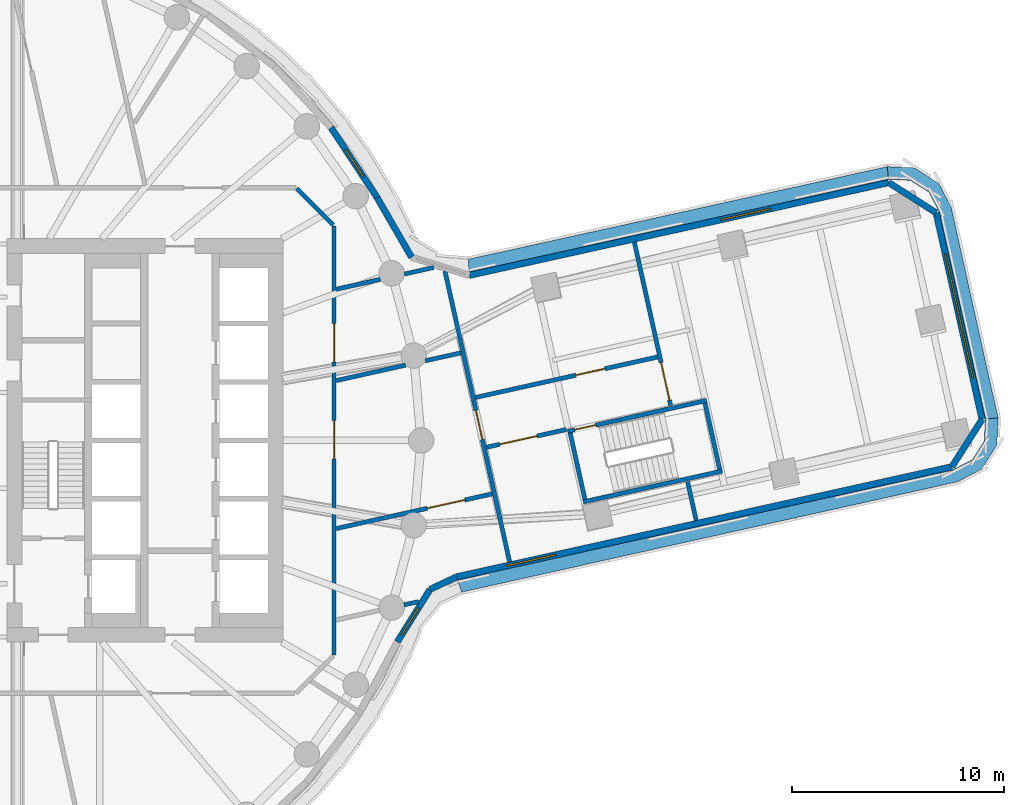
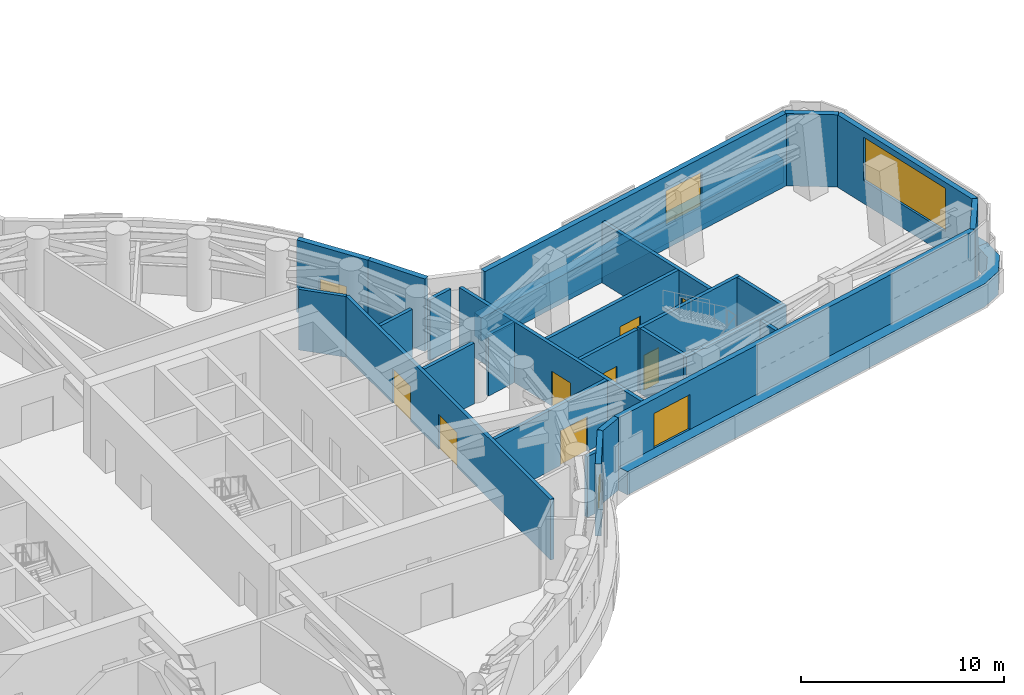
# One storey, part 11 of 22: 26 walls, 8 doors, 5 windows, 3 members, 13 openings.
"""IFC4 building model written with IfcOpenShell, lengths in metres."""

import ifcopenshell
import ifcopenshell.guid

model = None  # the IFC model being written
_history = None  # IfcOwnerHistory: only IFC2X3 demands one
_inside = {}  # id of a spatial element -> (the spatial element, [elements in it])
_under = {}  # id of a project, library or spatial element -> (it, [spatial elements below it])
_declared = {}  # id of a project -> (the project, [libraries it declares])
_typed = {}  # id of a type object -> (the type object, [elements of that type])
_made_of = {}  # id of a material, layer set ... -> (it, [elements and type objects made of it])


def new_model(schema):
    """Start an empty IFC model of exactly this schema.

    Asked for "IFC4X3", IfcOpenShell would pick the latest addendum, in which some entities
    have other attributes; the version numbers below select the first issue.
    IFC2X3 requires an IfcOwnerHistory on every rooted entity: one is made here for all.
    """
    global model, _history
    if schema == "IFC4X3":
        model = ifcopenshell.file(schema_version=(4, 3, 0, 0))
    else:
        model = ifcopenshell.file(schema=schema)
    _inside.clear()
    _under.clear()
    _declared.clear()
    _typed.clear()
    _made_of.clear()
    _history = None
    if model.schema == "IFC2X3":
        org = make("IfcOrganization", Name="unknown")
        user = make(
            "IfcPersonAndOrganization",
            ThePerson=make("IfcPerson", FamilyName="unknown"),
            TheOrganization=org,
        )
        app = make(
            "IfcApplication",
            ApplicationDeveloper=org,
            Version="unknown",
            ApplicationFullName="unknown",
            ApplicationIdentifier="unknown",
        )
        _history = make(
            "IfcOwnerHistory",
            OwningUser=user,
            OwningApplication=app,
            ChangeAction="ADDED",
            CreationDate=0,
        )
    return model


def make(cls, **values):
    """One entity of the class cls with the attributes given. An attribute that is None is left unset."""
    return model.create_entity(
        cls, **{name: value for name, value in values.items() if value is not None}
    )


def rooted(cls, **values):
    """An entity with a GlobalId (a new one), such as an element, a storey or a relation."""
    return make(cls, GlobalId=ifcopenshell.guid.new(), OwnerHistory=_history, **values)


def si_unit(unit_type, name, prefix=None):
    """IfcSIUnit, for example si_unit("LENGTHUNIT", "METRE", prefix="MILLI")."""
    return make("IfcSIUnit", UnitType=unit_type, Prefix=prefix, Name=name)


def assignment(units):
    """IfcUnitAssignment: the units of a project."""
    return None if units is None else make("IfcUnitAssignment", Units=units)


def point(xyz):
    """IfcCartesianPoint."""
    return None if xyz is None else make("IfcCartesianPoint", Coordinates=xyz)


def direction(xyz):
    """IfcDirection."""
    return None if xyz is None else make("IfcDirection", DirectionRatios=xyz)


def frame(location, z_axis=None, x_axis=None):
    """IfcAxis2Placement3D, a coordinate frame: its origin and axes. An axis left out is left unset."""
    return make(
        "IfcAxis2Placement3D",
        Location=point(location),
        Axis=direction(z_axis),
        RefDirection=direction(x_axis),
    )


def frame_2d(location, x_axis=None):
    """IfcAxis2Placement2D, a coordinate frame in the plane: its origin and x axis."""
    return make(
        "IfcAxis2Placement2D", Location=point(location), RefDirection=direction(x_axis)
    )


def origin():
    """The frame at (0, 0, 0) with its axes left unset."""
    return frame((0.0, 0.0, 0.0))


def place(relative_to, where):
    """IfcLocalPlacement: puts the frame where relative to a parent placement (None: the world)."""
    return make(
        "IfcLocalPlacement", PlacementRelTo=relative_to, RelativePlacement=where
    )


def context(
    kind, dimensions, precision=None, world=None, true_north=None, identifier=None
):
    """IfcGeometricRepresentationContext, for example the 3D "Model" context."""
    return make(
        "IfcGeometricRepresentationContext",
        ContextIdentifier=identifier,
        ContextType=kind,
        CoordinateSpaceDimension=dimensions,
        Precision=precision,
        WorldCoordinateSystem=world,
        TrueNorth=true_north,
    )


def subcontext(parent, identifier, kind, view, scale=None):
    """IfcGeometricRepresentationSubContext, for example "Body" below "Model"."""
    return make(
        "IfcGeometricRepresentationSubContext",
        ContextIdentifier=identifier,
        ContextType=kind,
        ParentContext=parent,
        TargetScale=scale,
        TargetView=view,
    )


def project(units=None, contexts=None):
    """IfcProject with its units and contexts."""
    return rooted(
        "IfcProject",
        Name="project",
        RepresentationContexts=contexts,
        UnitsInContext=assignment(units),
    )


def spatial(cls, under=None, at=None, **own):
    """A site, building, storey or space (cls), placed at a placement, below another one or the project."""
    s = rooted(cls, ObjectPlacement=at, **own)
    if under is not None:
        _under.setdefault(under.id(), (under, []))[1].append(s)
    return s


def polyline(points):
    """IfcPolyline through the points."""
    return make("IfcPolyline", Points=[point(p) for p in points])


def profile(cls, at=None, kind="AREA", **sizes):
    """A parametric profile (cls). Its sizes go by their IFC names, for example OverallWidth=200.0."""
    return make(cls, ProfileType=kind, Position=at, **sizes)


def rectangle(**sizes):
    """IfcRectangleProfileDef."""
    return profile("IfcRectangleProfileDef", **sizes)


def outline(outer, holes=None, kind="AREA"):
    """IfcArbitraryClosedProfileDef: a profile drawn as a closed curve; with holes, ...WithVoids."""
    if holes is None:
        return make("IfcArbitraryClosedProfileDef", ProfileType=kind, OuterCurve=outer)
    return make(
        "IfcArbitraryProfileDefWithVoids",
        ProfileType=kind,
        OuterCurve=outer,
        InnerCurves=holes,
    )


def extrude(swept, where, along, depth):
    """IfcExtrudedAreaSolid: the profile swept, set in the frame where, extruded along a direction by depth."""
    return make(
        "IfcExtrudedAreaSolid",
        SweptArea=swept,
        Position=where,
        ExtrudedDirection=direction(along),
        Depth=depth,
    )


def shape(context_of_items, identifier, shape_type, items):
    """IfcShapeRepresentation: the items that make up one representation, for example the "Body"."""
    return make(
        "IfcShapeRepresentation",
        ContextOfItems=context_of_items,
        RepresentationIdentifier=identifier,
        RepresentationType=shape_type,
        Items=items,
    )


def material(Name=None, Category=None):
    """IfcMaterial."""
    return make("IfcMaterial", Name=Name, Category=Category)


def layer(
    of_material, thickness, ventilated=None, Name=None, Category=None, Priority=None
):
    """IfcMaterialLayer: one layer of a wall or slab, of a material (None: an air gap)."""
    return make(
        "IfcMaterialLayer",
        Material=of_material,
        LayerThickness=thickness,
        IsVentilated=ventilated,
        Name=Name,
        Category=Category,
        Priority=Priority,
    )


def layer_set(layers, Name=None):
    """IfcMaterialLayerSet."""
    return make("IfcMaterialLayerSet", MaterialLayers=layers, LayerSetName=Name)


def made_of(thing, what):
    """Note that an element or type object is made of a material, layer set ...; save() writes the relation."""
    if what is not None:
        _made_of.setdefault(what.id(), (what, []))[1].append(thing)
    return thing


def type_object(cls, material=None, **own):
    """A type object (cls), such as IfcWallType, which elements share."""
    return made_of(rooted(cls, **own), material)


def element(
    cls,
    number,
    at=None,
    inside=None,
    cuts=None,
    type_object=None,
    material=None,
    context=None,
    identifier="Body",
    shape_type=None,
    held_by="IfcProductDefinitionShape",
    body=None,
    shapes=None,
    **own,
):
    """One element of the class cls, such as IfcWall. Its Tag is "e" and its number.

    at: its placement. inside: the storey or other place that contains it. cuts: it is an
    opening in that element (IfcRelVoidsElement). A single representation is given by context,
    identifier, shape_type and body (its items); several are given by shapes. held_by: the class
    of the entity that holds the representations. save() writes the other relations.
    """
    e = rooted(cls, Tag="e%d" % number, ObjectPlacement=at, **own)
    if body is not None:
        shapes = [shape(context, identifier, shape_type, body)]
    if shapes is not None:
        e.Representation = make(held_by, Representations=shapes)
    if inside is not None:
        _inside.setdefault(inside.id(), (inside, []))[1].append(e)
    if cuts is not None:
        rooted(
            "IfcRelVoidsElement", RelatingBuildingElement=cuts, RelatedOpeningElement=e
        )
    if type_object is not None:
        _typed.setdefault(type_object.id(), (type_object, []))[1].append(e)
    return made_of(e, material)


def fill(opening, filler):
    """IfcRelFillsElement: the door or window that sits in an opening."""
    return rooted(
        "IfcRelFillsElement",
        RelatingOpeningElement=opening,
        RelatedBuildingElement=filler,
    )


def aggregate(whole, parts):
    """IfcRelAggregates: a whole, such as a stair, and the parts it consists of."""
    return rooted("IfcRelAggregates", RelatingObject=whole, RelatedObjects=parts)


def save(model, path):
    """Write the relations noted so far, then the file.

    IfcRelAggregates (storeys below a building ...), IfcRelContainedInSpatialStructure (elements
    in a storey), IfcRelDefinesByType, IfcRelAssociatesMaterial and IfcRelDeclares: one each for
    every whole, place, type object, material and project.
    """
    for whole, parts in _under.values():
        aggregate(whole, parts)
    for where, things in _inside.values():
        rooted(
            "IfcRelContainedInSpatialStructure",
            RelatedElements=things,
            RelatingStructure=where,
        )
    for kind, things in _typed.values():
        rooted("IfcRelDefinesByType", RelatedObjects=things, RelatingType=kind)
    for what, things in _made_of.values():
        rooted("IfcRelAssociatesMaterial", RelatedObjects=things, RelatingMaterial=what)
    for by, libraries in _declared.values():
        rooted("IfcRelDeclares", RelatingContext=by, RelatedDefinitions=libraries)
    model.write(path)


model = new_model("IFC4")

# Units and contexts
model_context = context("Model", 3, precision=1e-05, world=origin(), true_north=direction((0.0, 1.0)))
body_context = subcontext(model_context, "Body", "Model", "MODEL_VIEW")
ifc_project = project(units=[si_unit("LENGTHUNIT", "METRE"), si_unit("AREAUNIT", "SQUARE_METRE"), si_unit("VOLUMEUNIT", "CUBIC_METRE"), si_unit("PLANEANGLEUNIT", "RADIAN"), si_unit("MASSUNIT", "GRAM", prefix="KILO")], contexts=[model_context])

# Member
ifc_material_1 = material(Name="Aluminium and insulated spandrel panel", Category="aluminium")
member_type = type_object("IfcMemberType", Name="Floor-edge blade transom", PredefinedType="USERDEFINED", material=ifc_material_1)
site_placement = place(None, origin())
building_placement = place(site_placement, origin())
storey_placement = place(building_placement, frame((0.0, 0.0, 79.0)))
member_1_placement = place(storey_placement, origin())
member_1 = element("IfcMember", 1, at=member_1_placement, type_object=member_type, Name="CWT-L18-07", ObjectType="TRANSOM", PredefinedType="USERDEFINED", context=body_context, shape_type="SweptSolid", body=[
    extrude(outline(polyline([(24.71337890625, -6.567626953125), (48.038818359375, -1.38037109375), (48.956787109375, -0.90185546875), (49.512451171875, -0.0283203125), (49.556884765625, 1.006103515625), (50.15966796875, 1.05908203125), (50.10498046875, -0.214599609375), (49.376708984375, -1.359375), (48.24609375, -1.948974609375), (24.9091796875, -7.138671875), (24.71337890625, -6.567626953125)])), origin(), (0.0, 0.0, 1.0), 1.39990234375),
])

member_2_placement = place(storey_placement, origin())
member_2 = element("IfcMember", 2, at=member_2_placement, type_object=member_type, Name="CWT-L18-08", ObjectType="TRANSOM", PredefinedType="USERDEFINED", context=body_context, shape_type="SweptSolid", body=[
    extrude(outline(polyline([(49.556884765625, 1.006103515625), (47.385986328125, 10.767578125), (46.907470703125, 11.685546875), (46.033935546875, 12.2412109375), (44.99951171875, 12.28564453125), (44.94677734375, 12.888671875), (46.22021484375, 12.833740234375), (47.365234375, 12.10546875), (47.95458984375, 10.974853515625), (50.15966796875, 1.05908203125), (49.556884765625, 1.006103515625)])), origin(), (0.0, 0.0, 1.0), 1.39990234375),
])

member_3_placement = place(storey_placement, origin())
member_3 = element("IfcMember", 3, at=member_3_placement, type_object=member_type, Name="CWT-L18-09", ObjectType="TRANSOM", PredefinedType="USERDEFINED", context=body_context, shape_type="SweptSolid", body=[
    extrude(outline(polyline([(44.99951171875, 12.28564453125), (25.2578125, 7.92236328125), (25.21630859375, 8.527587890625), (44.94677734375, 12.888671875), (44.99951171875, 12.28564453125)])), origin(), (0.0, 0.0, 1.0), 1.39990234375),
])

# Site, building, storey
site = spatial("IfcSite", under=ifc_project, at=site_placement, CompositionType="ELEMENT")
building = spatial("IfcBuilding", under=site, at=building_placement, Name="Tamarind Cross Interchange Tower", CompositionType="ELEMENT")
storey = spatial("IfcBuildingStorey", under=building, at=storey_placement, Name="L18", CompositionType="ELEMENT", Elevation=79.0)

# Wall, opening, door
ifc_material_2 = material(Name="Gypsum board partition on steel studs", Category="steel")
ifc_layer_1 = layer(ifc_material_2, 0.199951171875)
ifc_layer_set_1 = layer_set([ifc_layer_1], Name="Gypsum board partition on steel studs")
wall_type_1 = type_object("IfcWallType", Name="Partition 200 mm EI 180", PredefinedType="PARTITIONING", material=ifc_layer_set_1)
wall_1_placement = place(storey_placement, frame((24.1201171875, 7.973388671875, 0.0), z_axis=(0.0, 0.0, 1.0), x_axis=(0.216928614258, -0.976187469862, 0.0)))
wall_1 = element("IfcWall", 4, at=wall_1_placement, inside=storey, type_object=wall_type_1, Name="Partition L18-027", PredefinedType="PARTITIONING", context=body_context, shape_type="SweptSolid", body=[
    extrude(rectangle(XDim=14.02197265625, YDim=0.199951171875, at=frame_2d((7.010986328125, 0.0))), origin(), (0.0, 0.0, 1.0), 3.659912109375),
])
opening_1_placement = place(wall_1_placement, frame((6.723388671875, 0.0, 0.0)))
opening_1 = element("IfcOpeningElement", 5, at=opening_1_placement, cuts=wall_1, Name="Opening D16", PredefinedType="OPENING", context=body_context, shape_type="SweptSolid", body=[
    extrude(rectangle(XDim=1.39990234375, YDim=2.10009765625, at=frame_2d((0.699951171875, 1.050048828125))), frame((0.0, 0.10986328125, 0.0), z_axis=(0.0, -1.0, 0.0), x_axis=(1.0, 0.0, 0.0)), (0.0, 0.0, 1.0), 0.219970703125),
])
ifc_material_3 = material(Name="Fire-resisting door set")
door_type_1 = type_object("IfcDoorType", Name="Interior door 1400 x 2100 FD120S", OperationType="DOUBLE_DOOR_SINGLE_SWING", PredefinedType="DOOR", material=ifc_material_3)
door_1_placement = place(opening_1_placement, frame((1.39990234375, 0.0, 0.0), z_axis=(0.0, 0.0, 1.0), x_axis=(-1.0, 0.0, 0.0)))
door_1 = element("IfcDoor", 6, at=door_1_placement, inside=storey, type_object=door_type_1, Name="Door D16", OperationType="DOUBLE_DOOR_SINGLE_SWING", OverallHeight=2.10009765625, OverallWidth=1.39990234375, PredefinedType="DOOR", context=body_context, shape_type="SweptSolid", body=[
    extrude(rectangle(XDim=1.39990234375, YDim=2.10009765625, at=frame_2d((0.699951171875, 1.050048828125))), frame((0.0, 0.02490234375, 0.0), z_axis=(0.0, -1.0, 0.0), x_axis=(1.0, 0.0, 0.0)), (0.0, 0.0, 1.0), 0.050048828125),
])
fill(opening_1, door_1)

wall_2_placement = place(storey_placement, frame((33.037109375, 9.33349609375, 0.0), z_axis=(0.0, 0.0, 1.0), x_axis=(0.217028940436, -0.976165169945, 0.0)))
wall_2 = element("IfcWall", 7, at=wall_2_placement, inside=storey, type_object=wall_type_1, Name="Partition L18-028", PredefinedType="PARTITIONING", context=body_context, shape_type="SweptSolid", body=[
    extrude(rectangle(XDim=7.87451171875, YDim=0.199951171875, at=frame_2d((3.937255859375, 0.0))), origin(), (0.0, 0.0, 1.0), 3.659912109375),
])
opening_2_placement = place(wall_2_placement, frame((5.81494140625, 0.0, 0.0)))
opening_2 = element("IfcOpeningElement", 8, at=opening_2_placement, cuts=wall_2, Name="Opening D17", PredefinedType="OPENING", context=body_context, shape_type="SweptSolid", body=[
    extrude(rectangle(XDim=1.800048828125, YDim=2.10009765625, at=frame_2d((0.89990234375, 1.050048828125))), frame((0.0, 0.10986328125, 0.0), z_axis=(0.0, -1.0, 0.0), x_axis=(1.0, 0.0, 0.0)), (0.0, 0.0, 1.0), 0.219970703125),
])
door_type_2 = type_object("IfcDoorType", Name="Interior door 1800 x 2100 FD120S", OperationType="DOUBLE_DOOR_SINGLE_SWING", PredefinedType="DOOR", material=ifc_material_3)
door_2_placement = place(opening_2_placement, origin())
door_2 = element("IfcDoor", 9, at=door_2_placement, inside=storey, type_object=door_type_2, Name="Door D17", OperationType="DOUBLE_DOOR_SINGLE_SWING", OverallHeight=2.10009765625, OverallWidth=1.800048828125, PredefinedType="DOOR", context=body_context, shape_type="SweptSolid", body=[
    extrude(rectangle(XDim=1.800048828125, YDim=2.10009765625, at=frame_2d((0.89990234375, 1.050048828125))), frame((0.0, 0.02490234375, 0.0), z_axis=(0.0, -1.0, 0.0), x_axis=(1.0, 0.0, 0.0)), (0.0, 0.0, 1.0), 0.050048828125),
])
fill(opening_2, door_2)

# Walls
wall_3_placement = place(storey_placement, frame((35.544921875, -1.946044921875, 0.0), z_axis=(0.0, 0.0, 1.0), x_axis=(0.216958268932, -0.976180879521, 0.0)))
element("IfcWall", 10, at=wall_3_placement, inside=storey, type_object=wall_type_1, Name="Partition L18-029", PredefinedType="PARTITIONING", context=body_context, shape_type="SweptSolid", body=[
    extrude(rectangle(XDim=1.85888671875, YDim=0.199951171875, at=frame_2d((0.929443359375, 0.0))), origin(), (0.0, 0.0, 1.0), 3.659912109375),
])
wall_4_placement = place(storey_placement, frame((17.142333984375, 11.857666015625, 0.0), z_axis=(0.0, 0.0, 1.0), x_axis=(0.707106781187, -0.707106781187, 0.0)))
element("IfcWall", 11, at=wall_4_placement, inside=storey, type_object=wall_type_1, Name="Partition L18-031", PredefinedType="PARTITIONING", context=body_context, shape_type="SweptSolid", body=[
    extrude(rectangle(XDim=2.42578125, YDim=0.199951171875, at=frame_2d((1.212890625, 0.0))), origin(), (0.0, 0.0, 1.0), 3.659912109375),
])

# Wall, opening, door
wall_5_placement = place(storey_placement, frame((19.00244140625, -4.149169921875, 0.0), z_axis=(0.0, 0.0, 1.0), x_axis=(0.976165670114, 0.217026690732, 0.0)))
wall_5 = element("IfcWall", 12, at=wall_5_placement, inside=storey, type_object=wall_type_1, Name="Partition L18-060", PredefinedType="PARTITIONING", context=body_context, shape_type="SweptSolid", body=[
    extrude(rectangle(XDim=7.521240234375, YDim=0.199951171875, at=frame_2d((3.7607421875, 0.0))), origin(), (0.0, 0.0, 1.0), 3.659912109375),
])
opening_3_placement = place(wall_5_placement, frame((4.39501953125, 0.0, 0.0)))
opening_3 = element("IfcOpeningElement", 13, at=opening_3_placement, cuts=wall_5, Name="Opening D33", PredefinedType="OPENING", context=body_context, shape_type="SweptSolid", body=[
    extrude(rectangle(XDim=1.800048828125, YDim=2.10009765625, at=frame_2d((0.89990234375, 1.050048828125))), frame((0.0, 0.10986328125, 0.0), z_axis=(0.0, -1.0, 0.0), x_axis=(1.0, 0.0, 0.0)), (0.0, 0.0, 1.0), 0.219970703125),
])
door_3_placement = place(opening_3_placement, frame((1.800048828125, 0.0, 0.0), z_axis=(0.0, 0.0, 1.0), x_axis=(-1.0, 0.0, 0.0)))
door_3 = element("IfcDoor", 14, at=door_3_placement, inside=storey, type_object=door_type_2, Name="Door D33", OperationType="DOUBLE_DOOR_SINGLE_SWING", OverallHeight=2.10009765625, OverallWidth=1.800048828125, PredefinedType="DOOR", context=body_context, shape_type="SweptSolid", body=[
    extrude(rectangle(XDim=1.800048828125, YDim=2.10009765625, at=frame_2d((0.89990234375, 1.050048828125))), frame((0.0, 0.02490234375, 0.0), z_axis=(0.0, -1.0, 0.0), x_axis=(1.0, 0.0, 0.0)), (0.0, 0.0, 1.0), 0.050048828125),
])
fill(opening_3, door_3)

# Walls
wall_6_placement = place(storey_placement, frame((19.00244140625, 2.81689453125, 0.0), z_axis=(0.0, 0.0, 1.0), x_axis=(0.9761664515, 0.217023176105, 0.0)))
element("IfcWall", 15, at=wall_6_placement, inside=storey, type_object=wall_type_1, Name="Partition L18-061", PredefinedType="PARTITIONING", context=body_context, shape_type="SweptSolid", body=[
    extrude(rectangle(XDim=3.345703125, YDim=0.199951171875, at=frame_2d((1.6728515625, 0.0))), origin(), (0.0, 0.0, 1.0), 3.659912109375),
])
wall_7_placement = place(storey_placement, frame((23.195068359375, 3.7490234375, 0.0), z_axis=(0.0, 0.0, 1.0), x_axis=(0.976143603736, 0.217125919423, 0.0)))
element("IfcWall", 16, at=wall_7_placement, inside=storey, type_object=wall_type_1, Name="Partition L18-062", PredefinedType="PARTITIONING", context=body_context, shape_type="SweptSolid", body=[
    extrude(rectangle(XDim=1.71923828125, YDim=0.199951171875, at=frame_2d((0.859619140625, 0.0))), origin(), (0.0, 0.0, 1.0), 3.659912109375),
])
wall_8_placement = place(storey_placement, frame((19.00244140625, 7.118896484375, 0.0), z_axis=(0.0, 0.0, 1.0), x_axis=(0.97615465389, 0.217076234739, 0.0)))
element("IfcWall", 17, at=wall_8_placement, inside=storey, type_object=wall_type_1, Name="Partition L18-063", PredefinedType="PARTITIONING", context=body_context, shape_type="SweptSolid", body=[
    extrude(rectangle(XDim=2.1279296875, YDim=0.199951171875, at=frame_2d((1.06396484375, 0.0))), origin(), (0.0, 0.0, 1.0), 3.659912109375),
])
wall_9_placement = place(storey_placement, frame((22.214111328125, 7.833251953125, 0.0), z_axis=(0.0, 0.0, 1.0), x_axis=(0.976142259417, 0.217131963057, 0.0)))
element("IfcWall", 18, at=wall_9_placement, inside=storey, type_object=wall_type_1, Name="Partition L18-064", PredefinedType="PARTITIONING", context=body_context, shape_type="SweptSolid", body=[
    extrude(rectangle(XDim=1.4111328125, YDim=0.199951171875, at=frame_2d((0.70556640625, 0.0))), origin(), (0.0, 0.0, 1.0), 3.659912109375),
])
wall_10_placement = place(storey_placement, frame((22.18994140625, -7.7431640625, 0.0), z_axis=(0.0, 0.0, 1.0), x_axis=(0.976097832704, 0.21733159225, 0.0)))
element("IfcWall", 19, at=wall_10_placement, inside=storey, type_object=wall_type_1, Name="Partition L18-066", PredefinedType="PARTITIONING", context=body_context, shape_type="SweptSolid", body=[
    extrude(rectangle(XDim=0.708740234375, YDim=0.199951171875, at=frame_2d((0.3544921875, 0.0))), origin(), (0.0, 0.0, 1.0), 3.659912109375),
])

# Wall, opening, door
wall_11_placement = place(storey_placement, frame((25.546630859375, 2.017578125, 0.0), z_axis=(0.0, 0.0, 1.0), x_axis=(0.976143956172, 0.217124334953, 0.0)))
wall_11 = element("IfcWall", 20, at=wall_11_placement, inside=storey, type_object=wall_type_1, Name="Partition L18-067", PredefinedType="PARTITIONING", context=body_context, shape_type="SweptSolid", body=[
    extrude(rectangle(XDim=8.7998046875, YDim=0.199951171875, at=frame_2d((4.39990234375, 0.0))), origin(), (0.0, 0.0, 1.0), 3.659912109375),
])
opening_4_placement = place(wall_11_placement, frame((4.85009765625, 0.0, 0.0)))
opening_4 = element("IfcOpeningElement", 21, at=opening_4_placement, cuts=wall_11, Name="Opening D34", PredefinedType="OPENING", context=body_context, shape_type="SweptSolid", body=[
    extrude(rectangle(XDim=1.39990234375, YDim=2.10009765625, at=frame_2d((0.699951171875, 1.050048828125))), frame((0.0, 0.10986328125, 0.0), z_axis=(0.0, -1.0, 0.0), x_axis=(1.0, 0.0, 0.0)), (0.0, 0.0, 1.0), 0.219970703125),
])
door_4_placement = place(opening_4_placement, origin())
door_4 = element("IfcDoor", 22, at=door_4_placement, inside=storey, type_object=door_type_1, Name="Door D34", OperationType="DOUBLE_DOOR_SINGLE_SWING", OverallHeight=2.10009765625, OverallWidth=1.39990234375, PredefinedType="DOOR", context=body_context, shape_type="SweptSolid", body=[
    extrude(rectangle(XDim=1.39990234375, YDim=2.10009765625, at=frame_2d((0.699951171875, 1.050048828125))), frame((0.0, 0.02490234375, 0.0), z_axis=(0.0, -1.0, 0.0), x_axis=(1.0, 0.0, 0.0)), (0.0, 0.0, 1.0), 0.050048828125),
])
fill(opening_4, door_4)

wall_12_placement = place(storey_placement, frame((26.067626953125, -0.32421875, 0.0), z_axis=(0.0, 0.0, 1.0), x_axis=(0.976172172107, 0.216997443313, 0.0)))
wall_12 = element("IfcWall", 23, at=wall_12_placement, inside=storey, type_object=wall_type_1, Name="Partition L18-068", PredefinedType="PARTITIONING", context=body_context, shape_type="SweptSolid", body=[
    extrude(rectangle(XDim=3.859130859375, YDim=0.199951171875, at=frame_2d((1.9296875, 0.0))), origin(), (0.0, 0.0, 1.0), 3.659912109375),
])
opening_5_placement = place(wall_12_placement, frame((0.64990234375, 0.0, 0.0)))
opening_5 = element("IfcOpeningElement", 24, at=opening_5_placement, cuts=wall_12, Name="Opening D35", PredefinedType="OPENING", context=body_context, shape_type="SweptSolid", body=[
    extrude(rectangle(XDim=1.800048828125, YDim=2.10009765625, at=frame_2d((0.89990234375, 1.050048828125))), frame((0.0, 0.10986328125, 0.0), z_axis=(0.0, -1.0, 0.0), x_axis=(1.0, 0.0, 0.0)), (0.0, 0.0, 1.0), 0.219970703125),
])
door_5_placement = place(opening_5_placement, frame((1.800048828125, 0.0, 0.0), z_axis=(0.0, 0.0, 1.0), x_axis=(-1.0, 0.0, 0.0)))
door_5 = element("IfcDoor", 25, at=door_5_placement, inside=storey, type_object=door_type_2, Name="Door D35", OperationType="DOUBLE_DOOR_SINGLE_SWING", OverallHeight=2.10009765625, OverallWidth=1.800048828125, PredefinedType="DOOR", context=body_context, shape_type="SweptSolid", body=[
    extrude(rectangle(XDim=1.800048828125, YDim=2.10009765625, at=frame_2d((0.89990234375, 1.050048828125))), frame((0.0, 0.02490234375, 0.0), z_axis=(0.0, -1.0, 0.0), x_axis=(1.0, 0.0, 0.0)), (0.0, 0.0, 1.0), 0.050048828125),
])
fill(opening_5, door_5)

# Wall, openings, doors
wall_13_placement = place(storey_placement, frame((18.89990234375, -10.10009765625, 0.0), z_axis=(0.0, 0.0, 1.0), x_axis=(0.0, 1.0, 0.0)))
wall_13 = element("IfcWall", 26, at=wall_13_placement, inside=storey, type_object=wall_type_1, Name="Partition L18-074", PredefinedType="PARTITIONING", context=body_context, shape_type="SweptSolid", body=[
    extrude(rectangle(XDim=20.2001953125, YDim=0.199951171875, at=frame_2d((10.10009765625, 0.0))), origin(), (0.0, 0.0, 1.0), 3.659912109375),
])
opening_6_placement = place(wall_13_placement, frame((9.22802734375, 0.0, 0.0)))
opening_6 = element("IfcOpeningElement", 27, at=opening_6_placement, cuts=wall_13, Name="Opening D38", PredefinedType="OPENING", context=body_context, shape_type="SweptSolid", body=[
    extrude(rectangle(XDim=1.800048828125, YDim=2.10009765625, at=frame_2d((0.89990234375, 1.050048828125))), frame((0.0, 0.10986328125, 0.0), z_axis=(0.0, -1.0, 0.0), x_axis=(1.0, 0.0, 0.0)), (0.0, 0.0, 1.0), 0.219970703125),
])
opening_7_placement = place(wall_13_placement, frame((13.7939453125, 0.0, 0.0)))
opening_7 = element("IfcOpeningElement", 28, at=opening_7_placement, cuts=wall_13, Name="Opening D39", PredefinedType="OPENING", context=body_context, shape_type="SweptSolid", body=[
    extrude(rectangle(XDim=1.800048828125, YDim=2.10009765625, at=frame_2d((0.89990234375, 1.050048828125))), frame((0.0, 0.10986328125, 0.0), z_axis=(0.0, -1.0, 0.0), x_axis=(1.0, 0.0, 0.0)), (0.0, 0.0, 1.0), 0.219970703125),
])
door_6_placement = place(opening_6_placement, origin())
door_6 = element("IfcDoor", 29, at=door_6_placement, inside=storey, type_object=door_type_2, Name="Door D38", OperationType="DOUBLE_DOOR_SINGLE_SWING", OverallHeight=2.10009765625, OverallWidth=1.800048828125, PredefinedType="DOOR", context=body_context, shape_type="SweptSolid", body=[
    extrude(rectangle(XDim=1.800048828125, YDim=2.10009765625, at=frame_2d((0.89990234375, 1.050048828125))), frame((0.0, 0.02490234375, 0.0), z_axis=(0.0, -1.0, 0.0), x_axis=(1.0, 0.0, 0.0)), (0.0, 0.0, 1.0), 0.050048828125),
])
fill(opening_6, door_6)
door_7_placement = place(opening_7_placement, frame((1.800048828125, 0.0, 0.0), z_axis=(0.0, 0.0, 1.0), x_axis=(-1.0, 0.0, 0.0)))
door_7 = element("IfcDoor", 30, at=door_7_placement, inside=storey, type_object=door_type_2, Name="Door D39", OperationType="DOUBLE_DOOR_SINGLE_SWING", OverallHeight=2.10009765625, OverallWidth=1.800048828125, PredefinedType="DOOR", context=body_context, shape_type="SweptSolid", body=[
    extrude(rectangle(XDim=1.800048828125, YDim=2.10009765625, at=frame_2d((0.89990234375, 1.050048828125))), frame((0.0, 0.02490234375, 0.0), z_axis=(0.0, -1.0, 0.0), x_axis=(1.0, 0.0, 0.0)), (0.0, 0.0, 1.0), 0.050048828125),
])
fill(opening_7, door_7)

# Wall, opening, window
ifc_material_4 = material(Name="Precast concrete C40", Category="concrete")
ifc_layer_2 = layer(ifc_material_4, 0.300048828125)
ifc_layer_set_2 = layer_set([ifc_layer_2], Name="Precast concrete C40")
wall_type_2 = type_object("IfcWallType", Name="Plant louvre wall", PredefinedType="SOLIDWALL", material=ifc_layer_set_2)
wall_14_placement = place(storey_placement, frame((21.879150390625, -9.48291015625, 0.0), z_axis=(0.0, 0.0, 1.0), x_axis=(0.528957701174, 0.848648189987, 0.0)))
wall_14 = element("IfcWall", 31, at=wall_14_placement, inside=storey, type_object=wall_type_2, Name="EXW-L18-06-06", PredefinedType="SOLIDWALL", context=body_context, shape_type="SweptSolid", body=[
    extrude(rectangle(XDim=2.90966796875, YDim=0.300048828125, at=frame_2d((1.454833984375, 0.0))), origin(), (0.0, 0.0, 1.0), 4.360107421875),
])
opening_8_placement = place(wall_14_placement, frame((0.389892578125, 0.0, 1.39990234375)))
opening_8 = element("IfcOpeningElement", 32, at=opening_8_placement, cuts=wall_14, Name="Opening W5", PredefinedType="OPENING", context=body_context, shape_type="SweptSolid", body=[
    extrude(rectangle(XDim=1.5, YDim=1.0, at=frame_2d((0.75, 0.5))), frame((0.0, 0.159912109375, 0.0), z_axis=(0.0, -1.0, 0.0), x_axis=(1.0, 0.0, 0.0)), (0.0, 0.0, 1.0), 0.320068359375),
])
ifc_material_5 = material(Name="Aluminium and fire-resisting glass", Category="aluminium")
window_type_1 = type_object("IfcWindowType", Name="Refuge opening window", PartitioningType="DOUBLE_PANEL_VERTICAL", PredefinedType="WINDOW", material=ifc_material_5)
window_1_placement = place(opening_8_placement, origin())
window_1 = element("IfcWindow", 33, at=window_1_placement, inside=storey, type_object=window_type_1, Name="RSW-L18-06-01", OverallHeight=1.0, OverallWidth=1.5, PartitioningType="SINGLE_PANEL", PredefinedType="WINDOW", context=body_context, shape_type="SweptSolid", body=[
    extrude(rectangle(XDim=1.5, YDim=1.0, at=frame_2d((0.75, 0.5))), frame((0.0, 0.030029296875, 0.0), z_axis=(0.0, -1.0, 0.0), x_axis=(1.0, 0.0, 0.0)), (0.0, 0.0, 1.0), 0.06005859375),
])
fill(opening_8, window_1)

# Wall
wall_15_placement = place(storey_placement, frame((23.418212890625, -7.013671875, 0.0), z_axis=(0.0, 0.0, 1.0), x_axis=(0.904159344398, 0.427195365071, 0.0)))
element("IfcWall", 34, at=wall_15_placement, inside=storey, type_object=wall_type_2, Name="EXW-L18-06-07", PredefinedType="SOLIDWALL", context=body_context, shape_type="SweptSolid", body=[
    extrude(rectangle(XDim=1.37841796875, YDim=0.300048828125, at=frame_2d((0.689208984375, 0.0))), origin(), (0.0, 0.0, 1.0), 4.360107421875),
])

# Wall, opening, window
wall_16_placement = place(storey_placement, frame((24.66455078125, -6.4248046875, 0.0), z_axis=(0.0, 0.0, 1.0), x_axis=(0.976153387473, 0.217081929523, 0.0)))
wall_16 = element("IfcWall", 35, at=wall_16_placement, inside=storey, type_object=wall_type_2, Name="EXW-L18-07-00", PredefinedType="SOLIDWALL", context=body_context, shape_type="SweptSolid", body=[
    extrude(rectangle(XDim=23.89208984375, YDim=0.300048828125, at=frame_2d((11.946044921875, 0.0))), origin(), (0.0, 0.0, 1.0), 4.360107421875),
])
opening_9_placement = place(wall_16_placement, frame((2.39990234375, 0.0, 1.39990234375)))
opening_9 = element("IfcOpeningElement", 36, at=opening_9_placement, cuts=wall_16, Name="Opening W3", PredefinedType="OPENING", context=body_context, shape_type="SweptSolid", body=[
    extrude(rectangle(XDim=2.39990234375, YDim=2.10009765625, at=frame_2d((1.199951171875, 1.050048828125))), frame((0.0, 0.159912109375, 0.0), z_axis=(0.0, -1.0, 0.0), x_axis=(1.0, 0.0, 0.0)), (0.0, 0.0, 1.0), 0.320068359375),
])
window_type_2 = type_object("IfcWindowType", Name="Refuge rescue window", PartitioningType="DOUBLE_PANEL_VERTICAL", PredefinedType="WINDOW", material=ifc_material_5)
window_2_placement = place(opening_9_placement, origin())
window_2 = element("IfcWindow", 37, at=window_2_placement, inside=storey, type_object=window_type_2, Name="RSW-L18-07-02", OverallHeight=2.10009765625, OverallWidth=2.39990234375, PartitioningType="SINGLE_PANEL", PredefinedType="WINDOW", context=body_context, shape_type="SweptSolid", body=[
    extrude(rectangle(XDim=2.39990234375, YDim=2.10009765625, at=frame_2d((1.199951171875, 1.050048828125))), frame((0.0, 0.030029296875, 0.0), z_axis=(0.0, -1.0, 0.0), x_axis=(1.0, 0.0, 0.0)), (0.0, 0.0, 1.0), 0.06005859375),
])
fill(opening_9, window_2)

aggregate(wall_16, [member_1])

# Wall
wall_17_placement = place(storey_placement, frame((47.98681640625, -1.23828125, 0.0), z_axis=(0.0, 0.0, 1.0), x_axis=(0.536803799102, 0.843707106329, 0.0)))
element("IfcWall", 38, at=wall_17_placement, inside=storey, type_object=wall_type_2, Name="EXW-L18-07-01", PredefinedType="SOLIDWALL", context=body_context, shape_type="SweptSolid", body=[
    extrude(rectangle(XDim=2.644287109375, YDim=0.300048828125, at=frame_2d((1.322265625, 0.0))), origin(), (0.0, 0.0, 1.0), 4.360107421875),
])

# Wall, opening, window
wall_18_placement = place(storey_placement, frame((49.40625, 0.99267578125, 0.0), z_axis=(0.0, 0.0, 1.0), x_axis=(-0.217088763424, 0.97615186769, 0.0)))
wall_18 = element("IfcWall", 39, at=wall_18_placement, inside=storey, type_object=wall_type_2, Name="EXW-L18-08-00", PredefinedType="SOLIDWALL", context=body_context, shape_type="SweptSolid", body=[
    extrude(rectangle(XDim=9.960693359375, YDim=0.300048828125, at=frame_2d((4.98046875, 0.0))), origin(), (0.0, 0.0, 1.0), 4.360107421875),
])
opening_10_placement = place(wall_18_placement, frame((1.980224609375, 0.0, 1.39990234375)))
opening_10 = element("IfcOpeningElement", 40, at=opening_10_placement, cuts=wall_18, Name="Opening W2", PredefinedType="OPENING", context=body_context, shape_type="SweptSolid", body=[
    extrude(rectangle(XDim=6.0, YDim=2.60009765625, at=frame_2d((3.0, 1.300048828125))), frame((0.0, 0.159912109375, 0.0), z_axis=(0.0, -1.0, 0.0), x_axis=(1.0, 0.0, 0.0)), (0.0, 0.0, 1.0), 0.320068359375),
])
ifc_material_6 = material(Name="Aluminium louvre", Category="aluminium")
window_type_3 = type_object("IfcWindowType", Name="Plant louvre bank", PartitioningType="SINGLE_PANEL", PredefinedType="WINDOW", material=ifc_material_6)
window_3_placement = place(opening_10_placement, origin())
window_3 = element("IfcWindow", 41, at=window_3_placement, inside=storey, type_object=window_type_3, Name="WIN-L18-08-00", OverallHeight=2.60009765625, OverallWidth=6.0, PartitioningType="SINGLE_PANEL", PredefinedType="WINDOW", context=body_context, shape_type="SweptSolid", body=[
    extrude(rectangle(XDim=6.0, YDim=2.60009765625, at=frame_2d((3.0, 1.300048828125))), frame((0.0, 0.030029296875, 0.0), z_axis=(0.0, -1.0, 0.0), x_axis=(1.0, 0.0, 0.0)), (0.0, 0.0, 1.0), 0.06005859375),
])
fill(opening_10, window_3)

aggregate(wall_18, [member_2])

# Wall
wall_19_placement = place(storey_placement, frame((47.243896484375, 10.7158203125, 0.0), z_axis=(0.0, 0.0, 1.0), x_axis=(-0.843775519569, 0.536696257277, 0.0)))
element("IfcWall", 42, at=wall_19_placement, inside=storey, type_object=wall_type_2, Name="EXW-L18-08-01", PredefinedType="SOLIDWALL", context=body_context, shape_type="SweptSolid", body=[
    extrude(rectangle(XDim=2.644287109375, YDim=0.300048828125, at=frame_2d((1.322265625, 0.0))), origin(), (0.0, 0.0, 1.0), 4.360107421875),
])

# Wall, opening, window
wall_20_placement = place(storey_placement, frame((45.0126953125, 12.135009765625, 0.0), z_axis=(0.0, 0.0, 1.0), x_axis=(-0.976433864348, -0.215816840295, 0.0)))
wall_20 = element("IfcWall", 43, at=wall_20_placement, inside=storey, type_object=wall_type_2, Name="EXW-L18-09-00", PredefinedType="SOLIDWALL", context=body_context, shape_type="SweptSolid", body=[
    extrude(rectangle(XDim=20.220947265625, YDim=0.300048828125, at=frame_2d((10.1103515625, 0.0))), origin(), (0.0, 0.0, 1.0), 4.360107421875),
])
opening_11_placement = place(wall_20_placement, frame((5.699951171875, 0.0, 1.39990234375)))
opening_11 = element("IfcOpeningElement", 44, at=opening_11_placement, cuts=wall_20, Name="Opening W3", PredefinedType="OPENING", context=body_context, shape_type="SweptSolid", body=[
    extrude(rectangle(XDim=2.39990234375, YDim=2.10009765625, at=frame_2d((1.199951171875, 1.050048828125))), frame((0.0, 0.159912109375, 0.0), z_axis=(0.0, -1.0, 0.0), x_axis=(1.0, 0.0, 0.0)), (0.0, 0.0, 1.0), 0.320068359375),
])
window_4_placement = place(opening_11_placement, origin())
window_4 = element("IfcWindow", 45, at=window_4_placement, inside=storey, type_object=window_type_2, Name="RSW-L18-09-01", OverallHeight=2.10009765625, OverallWidth=2.39990234375, PartitioningType="SINGLE_PANEL", PredefinedType="WINDOW", context=body_context, shape_type="SweptSolid", body=[
    extrude(rectangle(XDim=2.39990234375, YDim=2.10009765625, at=frame_2d((1.199951171875, 1.050048828125))), frame((0.0, 0.030029296875, 0.0), z_axis=(0.0, -1.0, 0.0), x_axis=(1.0, 0.0, 0.0)), (0.0, 0.0, 1.0), 0.06005859375),
])
fill(opening_11, window_4)

aggregate(wall_20, [member_3])

# Wall
wall_21_placement = place(storey_placement, frame((22.54931640625, 8.624755859375, 0.0), z_axis=(0.0, 0.0, 1.0), x_axis=(-0.500322641095, 0.86583904671, 0.0)))
element("IfcWall", 46, at=wall_21_placement, inside=storey, type_object=wall_type_2, Name="EXW-L18-10-01", PredefinedType="SOLIDWALL", context=body_context, shape_type="SweptSolid", body=[
    extrude(rectangle(XDim=3.250732421875, YDim=0.300048828125, at=frame_2d((1.62548828125, 0.0))), origin(), (0.0, 0.0, 1.0), 4.360107421875),
])

# Wall, opening, window
wall_22_placement = place(storey_placement, frame((20.9228515625, 11.439453125, 0.0), z_axis=(0.0, 0.0, 1.0), x_axis=(-0.550573607302, 0.834786621205, 0.0)))
wall_22 = element("IfcWall", 47, at=wall_22_placement, inside=storey, type_object=wall_type_2, Name="EXW-L18-10-02", PredefinedType="SOLIDWALL", context=body_context, shape_type="SweptSolid", body=[
    extrude(rectangle(XDim=3.9384765625, YDim=0.300048828125, at=frame_2d((1.96923828125, 0.0))), origin(), (0.0, 0.0, 1.0), 4.360107421875),
])
opening_12_placement = place(wall_22_placement, frame((1.199951171875, 0.0, 1.39990234375)))
opening_12 = element("IfcOpeningElement", 48, at=opening_12_placement, cuts=wall_22, Name="Opening W5", PredefinedType="OPENING", context=body_context, shape_type="SweptSolid", body=[
    extrude(rectangle(XDim=1.5, YDim=1.0, at=frame_2d((0.75, 0.5))), frame((0.0, 0.159912109375, 0.0), z_axis=(0.0, -1.0, 0.0), x_axis=(1.0, 0.0, 0.0)), (0.0, 0.0, 1.0), 0.320068359375),
])
window_5_placement = place(opening_12_placement, origin())
window_5 = element("IfcWindow", 49, at=window_5_placement, inside=storey, type_object=window_type_1, Name="RSW-L18-10-07", OverallHeight=1.0, OverallWidth=1.5, PartitioningType="SINGLE_PANEL", PredefinedType="WINDOW", context=body_context, shape_type="SweptSolid", body=[
    extrude(rectangle(XDim=1.5, YDim=1.0, at=frame_2d((0.75, 0.5))), frame((0.0, 0.030029296875, 0.0), z_axis=(0.0, -1.0, 0.0), x_axis=(1.0, 0.0, 0.0)), (0.0, 0.0, 1.0), 0.06005859375),
])
fill(opening_12, window_5)

# Wall, opening, door
ifc_material_7 = material(Name="Concrete C40", Category="concrete")
ifc_layer_3 = layer(ifc_material_7, 0.199951171875)
ifc_layer_set_3 = layer_set([ifc_layer_3], Name="Concrete C40")
wall_type_3 = type_object("IfcWallType", Name="Stair shaft wall 200 mm Concrete C40", PredefinedType="SHEAR", material=ifc_layer_set_3)
wall_23_placement = place(storey_placement, frame((29.896240234375, 0.42431640625, -0.179931640625), z_axis=(0.0, 0.0, 1.0), x_axis=(0.97615532549, 0.217073214646, 0.0)))
wall_23 = element("IfcWall", 50, at=wall_23_placement, inside=storey, type_object=wall_type_3, Name="Core wall CWL-L18-ST3-H", PredefinedType="SHEAR", context=body_context, shape_type="SweptSolid", body=[
    extrude(rectangle(XDim=6.69970703125, YDim=0.199951171875, at=frame_2d((3.349853515625, 0.0))), origin(), (0.0, 0.0, 1.0), 3.93994140625),
])
opening_13_placement = place(wall_23_placement, frame((0.35009765625, 0.0, 0.0)))
opening_13 = element("IfcOpeningElement", 51, at=opening_13_placement, cuts=wall_23, Name="Opening ST3L18", PredefinedType="OPENING", context=body_context, shape_type="SweptSolid", body=[
    extrude(rectangle(XDim=1.0, YDim=2.10009765625, at=frame_2d((0.5, 1.050048828125))), frame((0.0, 0.10986328125, 0.0), z_axis=(0.0, -1.0, 0.0), x_axis=(1.0, 0.0, 0.0)), (0.0, 0.0, 1.0), 0.219970703125),
])
ifc_material_8 = material(Name="Steel, fire-resisting", Category="steel")
door_type_3 = type_object("IfcDoorType", Name="Core fire door 1000 x 2100 FD90", OperationType="SINGLE_SWING_LEFT", PredefinedType="DOOR", material=ifc_material_8)
door_8_placement = place(opening_13_placement, origin())
door_8 = element("IfcDoor", 52, at=door_8_placement, inside=storey, type_object=door_type_3, Name="L18 stair door ST3", OperationType="SINGLE_SWING_LEFT", OverallHeight=2.10009765625, OverallWidth=1.0, PredefinedType="DOOR", context=body_context, shape_type="SweptSolid", body=[
    extrude(rectangle(XDim=1.0, YDim=2.10009765625, at=frame_2d((0.5, 1.050048828125))), frame((0.0, 0.02490234375, 0.0), z_axis=(0.0, -1.0, 0.0), x_axis=(1.0, 0.0, 0.0)), (0.0, 0.0, 1.0), 0.050048828125),
])
fill(opening_13, door_8)

# Walls
wall_24_placement = place(storey_placement, frame((30.63427734375, -2.894775390625, -0.179931640625), z_axis=(0.0, 0.0, 1.0), x_axis=(0.976149320922, 0.217100214792, 0.0)))
element("IfcWall", 53, at=wall_24_placement, inside=storey, type_object=wall_type_3, Name="Core wall CWL-L18-ST3-C", PredefinedType="SHEAR", context=body_context, shape_type="SweptSolid", body=[
    extrude(rectangle(XDim=6.7001953125, YDim=0.199951171875, at=frame_2d((3.35009765625, 0.0))), origin(), (0.0, 0.0, 1.0), 3.93994140625),
])
wall_25_placement = place(storey_placement, frame((30.710205078125, -2.775390625, -0.179931640625), z_axis=(0.0, 0.0, 1.0), x_axis=(-0.217124322557, 0.976143958929, 0.0)))
element("IfcWall", 54, at=wall_25_placement, inside=storey, type_object=wall_type_3, Name="Core wall CWL-L18-ST3-CE", PredefinedType="SHEAR", context=body_context, shape_type="SweptSolid", body=[
    extrude(rectangle(XDim=3.2001953125, YDim=0.199951171875, at=frame_2d((1.60009765625, 0.0))), origin(), (0.0, 0.0, 1.0), 3.93994140625),
])
wall_26_placement = place(storey_placement, frame((0.0, 0.0, -0.179931640625)))
element("IfcWall", 55, at=wall_26_placement, inside=storey, type_object=wall_type_3, Name="Core wall CWL-L18-ST3-CF", PredefinedType="SHEAR", context=body_context, shape_type="SweptSolid", body=[
    extrude(outline(polyline([(36.95751953125, -1.385986328125), (37.15283203125, -1.342529296875), (36.4580078125, 1.781005859375), (36.262939453125, 1.737548828125), (36.95751953125, -1.385986328125)])), origin(), (0.0, 0.0, 1.0), 3.93994140625),
])

save(model, "model.ifc")
